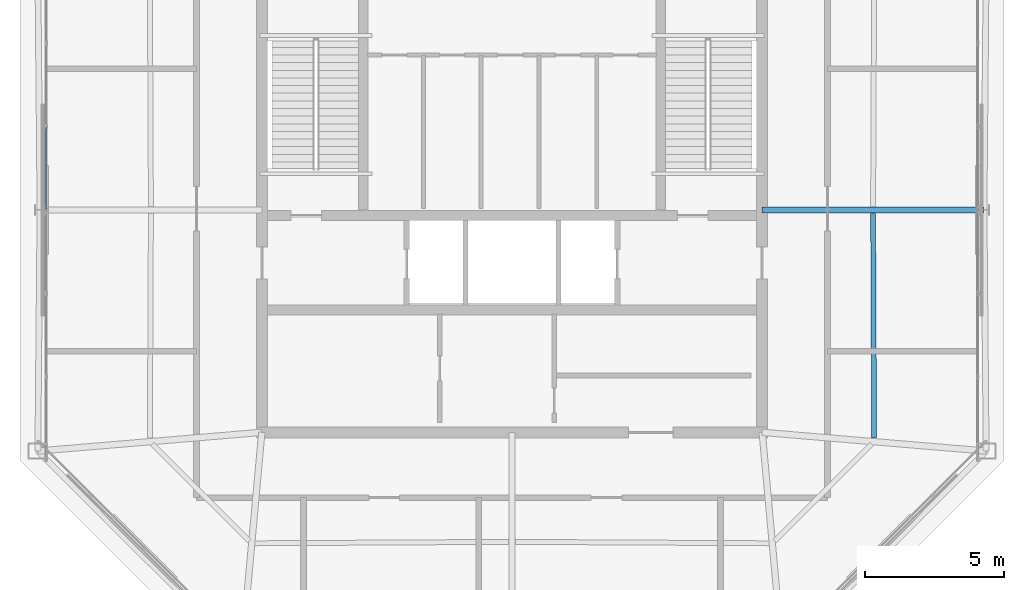
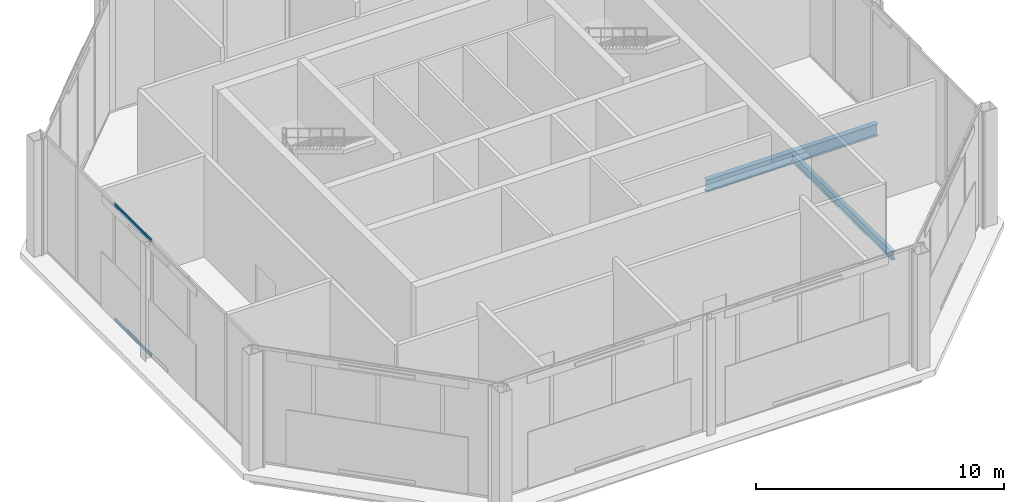
# One storey, part 7 of 20: 2 beams, 2 members, 1 element without a shape of its own.
"""IFC4 building model written with IfcOpenShell, lengths in metres."""

from ifc_helpers import new_model, si_unit, direction, frame, origin, origin_2d, place, context, subcontext, project, spatial, hollow_rectangle, i_section, extrude, material, layer, layer_set, material_profile, profile_set, type_object, element, aggregate, save


model = new_model("IFC4")

# Units and contexts
model_context = context("Model", 3, precision=1e-05, world=origin(), true_north=direction((0.0, 1.0)))
body_context = subcontext(model_context, "Body", "Model", "MODEL_VIEW")
ifc_project = project(units=[si_unit("LENGTHUNIT", "METRE"), si_unit("AREAUNIT", "SQUARE_METRE"), si_unit("VOLUMEUNIT", "CUBIC_METRE"), si_unit("PLANEANGLEUNIT", "RADIAN"), si_unit("MASSUNIT", "GRAM", prefix="KILO")], contexts=[model_context])

# Site, building, storey
site_placement = place(None, origin())
site = spatial("IfcSite", under=ifc_project, at=site_placement, CompositionType="ELEMENT")
building_placement = place(site_placement, origin())
building = spatial("IfcBuilding", under=site, at=building_placement, Name="Caelvoria Tower", CompositionType="ELEMENT")
storey_placement = place(building_placement, frame((0.0, 0.0, 284.199951171875)))
storey = spatial("IfcBuildingStorey", under=building, at=storey_placement, Name="C1", CompositionType="ELEMENT", Elevation=284.199951171875)

# Curtain wall, members
ifc_material_1 = material(Name="Anodised Bronze Aluminium and Low-E Glass", Category="aluminium")
ifc_layer = layer(ifc_material_1, 0.179931640625, Name="Anodised Bronze Aluminium and Low-E Glass")
ifc_layer_set = layer_set([ifc_layer], Name="CW System 6 Slanted Crown Bronze Screen Facade - Anodised Bronze Aluminium and Low-E Glass")
curtain_wall_type = type_object("IfcCurtainWallType", Name="CW System 6 Slanted Crown Bronze Screen Facade", PredefinedType="NOTDEFINED", material=ifc_layer_set)
curtain_wall_placement = place(storey_placement, origin())
curtain_wall = element("IfcCurtainWall", 1, at=curtain_wall_placement, inside=storey, type_object=curtain_wall_type, Name="CW-06 Curtain Wall C1-E6", PredefinedType="NOTDEFINED")
ifc_material_2 = material(Name="Anodised Bronze Architectural Aluminium", Category="aluminium")
ifc_material_profile_1 = material_profile(ifc_material_2, hollow_rectangle(XDim=0.06494140625, YDim=0.1298828125, WallThickness=0.00341796875, at=origin_2d()), Name="Anodised Bronze Architectural Aluminium")
ifc_profile_set_1 = profile_set([ifc_material_profile_1], Name="CW_TRAN_65X130 - Anodised Bronze Architectural Aluminium")
member_type = type_object("IfcMemberType", Name="Curtain Wall Transom 65x130 Bronze Aluminium", PredefinedType="USERDEFINED", material=ifc_profile_set_1)
member_1_placement = place(storey_placement, frame((29.239990234375, 34.967529296875, 0.032470703125), z_axis=(0.0, -1.0, 0.0), x_axis=(1.0, 0.0, 0.0)))
member_1 = element("IfcMember", 2, at=member_1_placement, type_object=member_type, Name="CW-06 transom 3.1", ObjectType="TRANSOM", PredefinedType="USERDEFINED", context=body_context, shape_type="SweptSolid", body=[
    extrude(hollow_rectangle(XDim=0.06494140625, YDim=0.1298828125, WallThickness=0.00341796875, at=origin_2d()), origin(), (0.0, 0.0, 1.0), 2.93505859375),
])
member_2_placement = place(storey_placement, frame((29.239990234375, 34.967529296875, 5.66748046875), z_axis=(0.0, -1.0, 0.0), x_axis=(1.0, 0.0, 0.0)))
member_2 = element("IfcMember", 3, at=member_2_placement, type_object=member_type, Name="CW-06 transom 3.2", ObjectType="TRANSOM", PredefinedType="USERDEFINED", context=body_context, shape_type="SweptSolid", body=[
    extrude(hollow_rectangle(XDim=0.06494140625, YDim=0.1298828125, WallThickness=0.00341796875, at=origin_2d()), origin(), (0.0, 0.0, 1.0), 2.93505859375),
])
aggregate(curtain_wall, [member_1, member_2])

# Beams
ifc_material_3 = material(Name="Structural Steel ASTM A992 Gr.50", Category="steel")
ifc_material_profile_2 = material_profile(ifc_material_3, i_section(OverallWidth=0.22802734375, OverallDepth=0.60302734375, WebThickness=0.010498046875, FlangeThickness=0.014892578125, FilletRadius=0.01806640625, at=origin_2d()), Name="Structural Steel ASTM A992 Gr.50")
ifc_profile_set_2 = profile_set([ifc_material_profile_2], Name="W610X101 - Structural Steel ASTM A992 Gr.50")
beam_type_1 = type_object("IfcBeamType", Name="Primary Floor Girder W610X101", PredefinedType="BEAM", material=ifc_profile_set_2)
beam_1_placement = place(storey_placement, frame((55.0, 32.0, -0.6015625), z_axis=(1.0, 0.0, 0.0), x_axis=(0.0, 1.0, 0.0)))
element("IfcBeam", 4, at=beam_1_placement, inside=storey, type_object=beam_type_1, Name="Primary Floor Girder C1-04", PredefinedType="BEAM", context=body_context, shape_type="SweptSolid", body=[
    extrude(i_section(OverallWidth=0.22802734375, OverallDepth=0.60302734375, WebThickness=0.010498046875, FlangeThickness=0.014892578125, FilletRadius=0.01806640625, at=origin_2d()), origin(), (0.0, 0.0, 1.0), 7.97998046875),
])
ifc_material_profile_3 = material_profile(ifc_material_3, i_section(OverallWidth=0.177978515625, OverallDepth=0.406982421875, WebThickness=0.0078125, FlangeThickness=0.0126953125, FilletRadius=0.013916015625, at=origin_2d()), Name="Structural Steel ASTM A992 Gr.50")
ifc_profile_set_3 = profile_set([ifc_material_profile_3], Name="W410X60 - Structural Steel ASTM A992 Gr.50")
beam_type_2 = type_object("IfcBeamType", Name="Secondary Floor Beam W410X60", PredefinedType="BEAM", material=ifc_profile_set_3)
beam_2_placement = place(storey_placement, frame((59.028564453125, 23.7880859375, -0.50341796875), z_axis=(-0.00470952391, 0.999988910131, 0.0), x_axis=(-0.999988910131, -0.00470952391, 0.0)))
element("IfcBeam", 5, at=beam_2_placement, inside=storey, type_object=beam_type_2, Name="Secondary Floor Beam C1-03", PredefinedType="BEAM", context=body_context, shape_type="SweptSolid", body=[
    extrude(i_section(OverallWidth=0.177978515625, OverallDepth=0.406982421875, WebThickness=0.0078125, FlangeThickness=0.0126953125, FilletRadius=0.013916015625, at=origin_2d()), origin(), (0.0, 0.0, 1.0), 8.0869140625),
])

save(model, "model.ifc")
